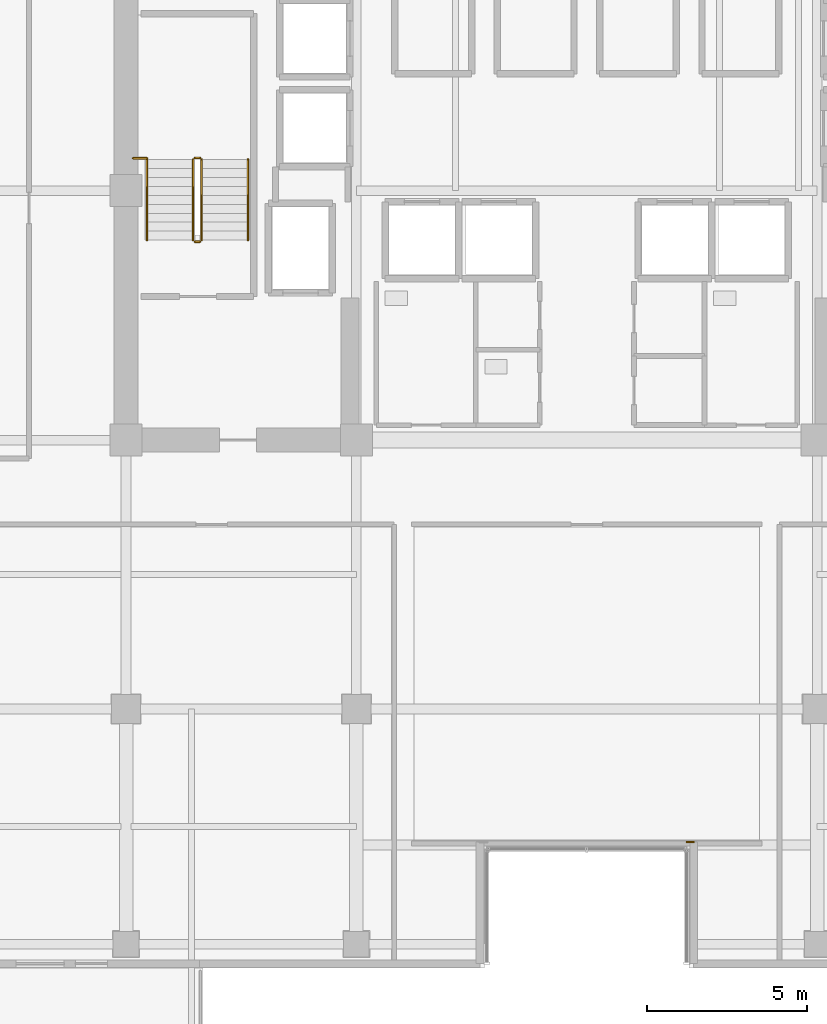
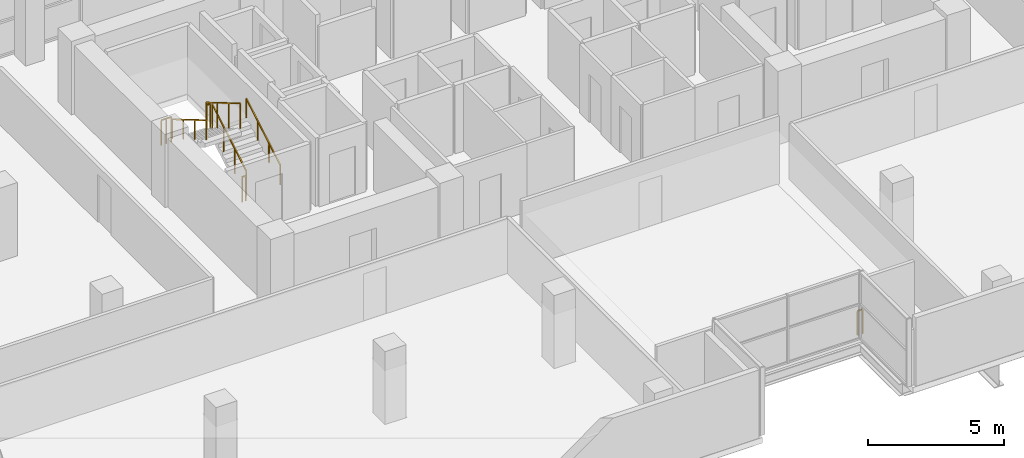
# One storey, part 24 of 27: 8 railings.
"""IFC4 building model written with IfcOpenShell, lengths in metres."""

from ifc_helpers import new_model, si_unit, direction, frame, origin, origin_2d, place, context, subcontext, project, spatial, rectangle, extrude, material, type_object, element, save


model = new_model("IFC4")

# Units and contexts
model_context = context("Model", 3, precision=1e-05, world=origin(), true_north=direction((0.0, 1.0)))
body_context = subcontext(model_context, "Body", "Model", "MODEL_VIEW")
ifc_project = project(units=[si_unit("LENGTHUNIT", "METRE"), si_unit("AREAUNIT", "SQUARE_METRE"), si_unit("VOLUMEUNIT", "CUBIC_METRE"), si_unit("PLANEANGLEUNIT", "RADIAN"), si_unit("MASSUNIT", "GRAM", prefix="KILO")], contexts=[model_context])

# Site, building, storey
site_placement = place(None, origin())
site = spatial("IfcSite", under=ifc_project, at=site_placement, CompositionType="ELEMENT")
building_placement = place(site_placement, origin())
building = spatial("IfcBuilding", under=site, at=building_placement, Name="Zarnakvel Exchange Tower", CompositionType="ELEMENT")
storey_placement = place(building_placement, frame((0.0, 0.0, 86.800048828125)))
storey = spatial("IfcBuildingStorey", under=building, at=storey_placement, Name="L23", CompositionType="ELEMENT", Elevation=86.800048828125)

# Railings
ifc_material_1 = material(Name="Architectural Bronze Anodised Aluminium", Category="aluminium")
railing_type_1 = type_object("IfcRailingType", Name="GR-02", PredefinedType="GUARDRAIL", material=ifc_material_1)
railing_1_placement = place(storey_placement, frame((3.340087890625, -13.760009765625, 0.0)))
element("IfcRailing", 1, at=railing_1_placement, inside=storey, type_object=railing_type_1, Name="L23 Corner Spandrel Balustrade #20", PredefinedType="GUARDRAIL", context=body_context, shape_type="SweptSolid", body=[
    extrude(rectangle(XDim=0.048095703125, YDim=0.048095703125, at=origin_2d()), frame((0.0, 0.0, 1.09619140625), z_axis=(-1.0, 0.0, 0.0), x_axis=(0.0, -1.0, 0.0)), (0.0, 0.0, 1.0), 0.219970703125),
    extrude(rectangle(XDim=0.0419921875, YDim=0.0419921875, at=origin_2d()), origin(), (0.0, 0.0, 1.0), 1.072021484375),
    extrude(rectangle(XDim=0.0419921875, YDim=0.0419921875, at=origin_2d()), frame((-0.219970703125, 0.0, 0.0)), (0.0, 0.0, 1.0), 1.072021484375),
])
ifc_material_2 = material(Name="Brushed Stainless Steel", Category="steel")
railing_type_2 = type_object("IfcRailingType", Name="HR-01", PredefinedType="HANDRAIL", material=ifc_material_2)
railing_2_placement = place(storey_placement, frame((-10.590087890625, 5.050048828125, 0.1650390625)))
element("IfcRailing", 2, at=railing_2_placement, inside=storey, type_object=railing_type_2, Name="L23 ST-01 stair handrail 1", PredefinedType="HANDRAIL", context=body_context, shape_type="SweptSolid", body=[
    extrude(rectangle(XDim=0.048095703125, YDim=0.048095703125, at=origin_2d()), frame((0.0, 0.0, 0.8759765625), z_axis=(0.0, 0.861560626758, 0.507654692109), x_axis=(-1.0, 0.0, 0.0)), (0.0, 0.0, 1.0), 2.925048828125),
    extrude(rectangle(XDim=0.0419921875, YDim=0.0419921875, at=origin_2d()), origin(), (0.0, 0.0, 1.0), 0.851806640625),
    extrude(rectangle(XDim=0.0419921875, YDim=0.0419921875, at=origin_2d()), frame((0.0, 0.840087890625, 0.494873046875)), (0.0, 0.0, 1.0), 0.851806640625),
    extrude(rectangle(XDim=0.0419921875, YDim=0.0419921875, at=origin_2d()), frame((0.0, 1.679931640625, 0.989990234375)), (0.0, 0.0, 1.0), 0.851806640625),
    extrude(rectangle(XDim=0.0419921875, YDim=0.0419921875, at=origin_2d()), frame((0.0, 2.52001953125, 1.48486328125)), (0.0, 0.0, 1.0), 0.851806640625),
])
railing_3_placement = place(storey_placement, frame((-13.75, 7.570068359375, 1.81494140625)))
element("IfcRailing", 3, at=railing_3_placement, inside=storey, type_object=railing_type_2, Name="L23 ST-01 stair handrail 2", PredefinedType="HANDRAIL", context=body_context, shape_type="SweptSolid", body=[
    extrude(rectangle(XDim=0.048095703125, YDim=0.048095703125, at=origin_2d()), frame((0.0, 0.0, 0.8759765625), z_axis=(0.0, -0.86152411907, 0.507716645641), x_axis=(1.0, 0.0, 0.0)), (0.0, 0.0, 1.0), 2.925048828125),
    extrude(rectangle(XDim=0.0419921875, YDim=0.0419921875, at=origin_2d()), origin(), (0.0, 0.0, 1.0), 0.851806640625),
    extrude(rectangle(XDim=0.0419921875, YDim=0.0419921875, at=origin_2d()), frame((0.0, -0.840087890625, 0.4951171875)), (0.0, 0.0, 1.0), 0.851806640625),
    extrude(rectangle(XDim=0.0419921875, YDim=0.0419921875, at=origin_2d()), frame((0.0, -1.679931640625, 0.989990234375)), (0.0, 0.0, 1.0), 0.851806640625),
    extrude(rectangle(XDim=0.0419921875, YDim=0.0419921875, at=origin_2d()), frame((0.0, -2.52001953125, 1.485107421875)), (0.0, 0.0, 1.0), 0.851806640625),
])
railing_type_3 = type_object("IfcRailingType", Name="SG-01", PredefinedType="GUARDRAIL", material=ifc_material_1)
railing_4_placement = place(storey_placement, frame((-12.0400390625, 5.050048828125, 0.1650390625)))
element("IfcRailing", 4, at=railing_4_placement, inside=storey, type_object=railing_type_3, Name="L23 ST-01 stair guard 1", PredefinedType="GUARDRAIL", context=body_context, shape_type="SweptSolid", body=[
    extrude(rectangle(XDim=0.048095703125, YDim=0.048095703125, at=origin_2d()), frame((0.0, 0.0, 1.1259765625), z_axis=(0.0, 0.861560626758, 0.507654692109), x_axis=(-1.0, 0.0, 0.0)), (0.0, 0.0, 1.0), 2.925048828125),
    extrude(rectangle(XDim=0.0419921875, YDim=0.0419921875, at=origin_2d()), origin(), (0.0, 0.0, 1.0), 1.101806640625),
    extrude(rectangle(XDim=0.0419921875, YDim=0.0419921875, at=origin_2d()), frame((0.0, 0.840087890625, 0.494873046875)), (0.0, 0.0, 1.0), 1.101806640625),
    extrude(rectangle(XDim=0.0419921875, YDim=0.0419921875, at=origin_2d()), frame((0.0, 1.679931640625, 0.989990234375)), (0.0, 0.0, 1.0), 1.101806640625),
    extrude(rectangle(XDim=0.0419921875, YDim=0.0419921875, at=origin_2d()), frame((0.0, 2.52001953125, 1.48486328125)), (0.0, 0.0, 1.0), 1.101806640625),
])
railing_5_placement = place(storey_placement, frame((-12.090087890625, 7.6201171875, 1.64990234375)))
element("IfcRailing", 5, at=railing_5_placement, inside=storey, type_object=railing_type_3, Name="L23 ST-01 stair guard 2", PredefinedType="GUARDRAIL", context=body_context, shape_type="SweptSolid", body=[
    extrude(rectangle(XDim=0.048095703125, YDim=0.048095703125, at=origin_2d()), frame((0.0, 0.0, 1.1259765625), z_axis=(-1.0, 0.0, 0.0), x_axis=(0.0, -1.0, 0.0)), (0.0, 0.0, 1.0), 0.159912109375),
    extrude(rectangle(XDim=0.0419921875, YDim=0.0419921875, at=origin_2d()), origin(), (0.0, 0.0, 1.0), 1.101806640625),
    extrude(rectangle(XDim=0.0419921875, YDim=0.0419921875, at=origin_2d()), frame((-0.159912109375, 0.0, 0.0)), (0.0, 0.0, 1.0), 1.101806640625),
])
railing_6_placement = place(storey_placement, frame((-12.300048828125, 7.570068359375, 1.81494140625)))
element("IfcRailing", 6, at=railing_6_placement, inside=storey, type_object=railing_type_3, Name="L23 ST-01 stair guard 3", PredefinedType="GUARDRAIL", context=body_context, shape_type="SweptSolid", body=[
    extrude(rectangle(XDim=0.048095703125, YDim=0.048095703125, at=origin_2d()), frame((0.0, 0.0, 1.1259765625), z_axis=(0.0, -0.86152411907, 0.507716645641), x_axis=(1.0, 0.0, 0.0)), (0.0, 0.0, 1.0), 2.925048828125),
    extrude(rectangle(XDim=0.0419921875, YDim=0.0419921875, at=origin_2d()), origin(), (0.0, 0.0, 1.0), 1.101806640625),
    extrude(rectangle(XDim=0.0419921875, YDim=0.0419921875, at=origin_2d()), frame((0.0, -0.840087890625, 0.4951171875)), (0.0, 0.0, 1.0), 1.101806640625),
    extrude(rectangle(XDim=0.0419921875, YDim=0.0419921875, at=origin_2d()), frame((0.0, -1.679931640625, 0.989990234375)), (0.0, 0.0, 1.0), 1.101806640625),
    extrude(rectangle(XDim=0.0419921875, YDim=0.0419921875, at=origin_2d()), frame((0.0, -2.52001953125, 1.485107421875)), (0.0, 0.0, 1.0), 1.101806640625),
])
railing_7_placement = place(storey_placement, frame((-12.090087890625, 5.0, 0.0)))
element("IfcRailing", 7, at=railing_7_placement, inside=storey, type_object=railing_type_3, Name="L23 ST-01 stair guard 4", PredefinedType="GUARDRAIL", context=body_context, shape_type="SweptSolid", body=[
    extrude(rectangle(XDim=0.048095703125, YDim=0.048095703125, at=origin_2d()), frame((0.0, 0.0, 1.1259765625), z_axis=(-1.0, 0.0, 0.0), x_axis=(0.0, -1.0, 0.0)), (0.0, 0.0, 1.0), 0.159912109375),
    extrude(rectangle(XDim=0.0419921875, YDim=0.0419921875, at=origin_2d()), origin(), (0.0, 0.0, 1.0), 1.101806640625),
    extrude(rectangle(XDim=0.0419921875, YDim=0.0419921875, at=origin_2d()), frame((-0.159912109375, 0.0, 0.0)), (0.0, 0.0, 1.0), 1.101806640625),
])
railing_8_placement = place(storey_placement, frame((-14.179931640625, 7.610107421875, 1.64990234375)))
element("IfcRailing", 8, at=railing_8_placement, inside=storey, type_object=railing_type_3, Name="L23 ST-01 Landing Slot Guardrail", PredefinedType="GUARDRAIL", context=body_context, shape_type="SweptSolid", body=[
    extrude(rectangle(XDim=0.048095703125, YDim=0.048095703125, at=origin_2d()), frame((0.0, 0.0, 1.1259765625), z_axis=(1.0, 0.0, 0.0), x_axis=(0.0, 1.0, 0.0)), (0.0, 0.0, 1.0), 0.429931640625),
    extrude(rectangle(XDim=0.0419921875, YDim=0.0419921875, at=origin_2d()), origin(), (0.0, 0.0, 1.0), 1.101806640625),
    extrude(rectangle(XDim=0.0419921875, YDim=0.0419921875, at=origin_2d()), frame((0.21484375, 0.0, 0.0)), (0.0, 0.0, 1.0), 1.101806640625),
    extrude(rectangle(XDim=0.0419921875, YDim=0.0419921875, at=origin_2d()), frame((0.429931640625, 0.0, 0.0)), (0.0, 0.0, 1.0), 1.101806640625),
])

save(model, "model.ifc")
